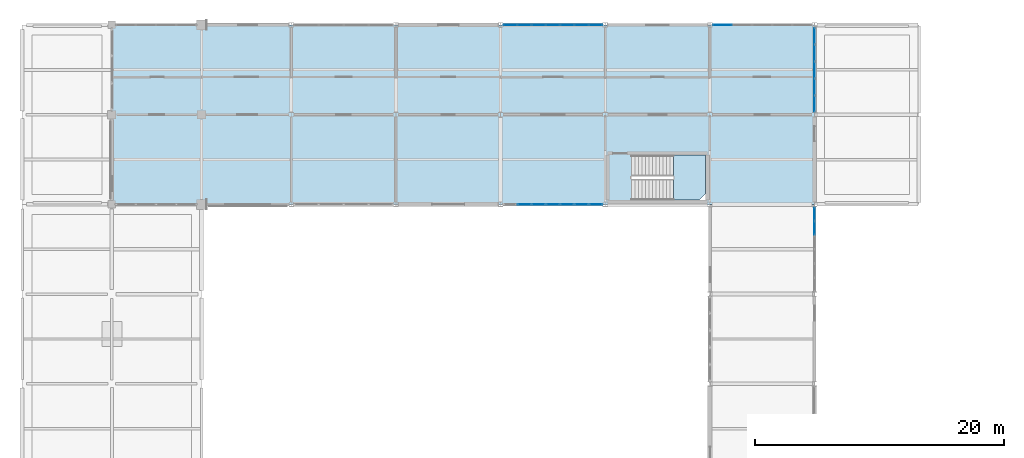
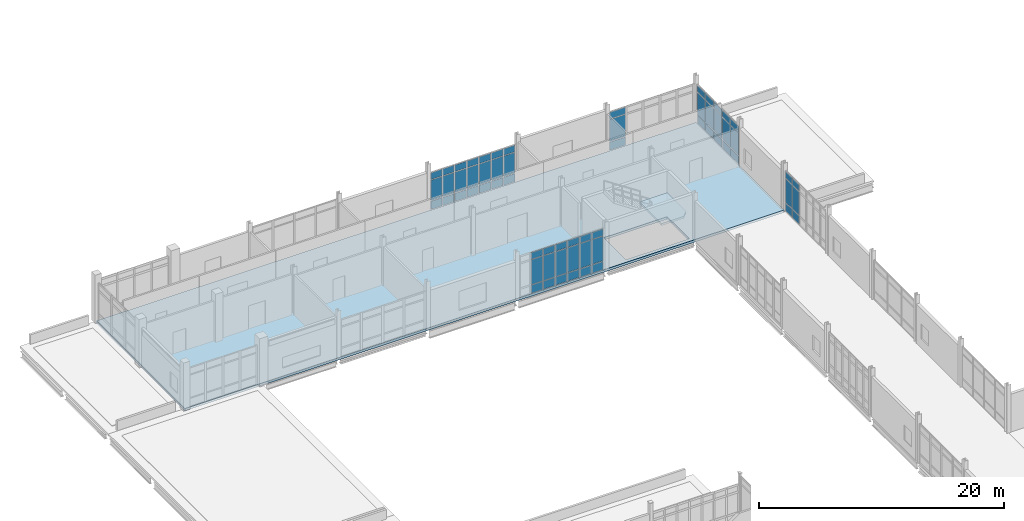
# One storey, part 129 of 186: 63 plates, 2 slabs, 6 elements without a shape of their own.
"""IFC4 building model written with IfcOpenShell, lengths in metres."""

from ifc_helpers import new_model, si_unit, direction, frame, origin, origin_2d, place, context, subcontext, project, spatial, polyline, rectangle, outline, extrude, material, layer, layer_set, type_object, element, aggregate, save


model = new_model("IFC4")

# Units and contexts
model_context = context("Model", 3, precision=1e-05, world=origin(), true_north=direction((0.0, 1.0)))
body_context = subcontext(model_context, "Body", "Model", "MODEL_VIEW")
ifc_project = project(units=[si_unit("LENGTHUNIT", "METRE"), si_unit("AREAUNIT", "SQUARE_METRE"), si_unit("VOLUMEUNIT", "CUBIC_METRE"), si_unit("PLANEANGLEUNIT", "RADIAN"), si_unit("MASSUNIT", "GRAM", prefix="KILO")], contexts=[model_context])

# Site, building, storey
site_placement = place(None, origin())
site = spatial("IfcSite", under=ifc_project, at=site_placement, CompositionType="ELEMENT")
building_placement = place(site_placement, origin())
building = spatial("IfcBuilding", under=site, at=building_placement, Name="Calvrana Isthmian Art Gallery", CompositionType="ELEMENT")
storey_placement = place(building_placement, frame((0.0, 0.0, 5.39990234375)))
storey = spatial("IfcBuildingStorey", under=building, at=storey_placement, Name="L01", CompositionType="ELEMENT", Elevation=5.39990234375)

# Curtain wall, plates
ifc_material_1 = material(Name="Anodized bronze aluminium 6063-T6", Category="aluminium")
ifc_layer_1 = layer(ifc_material_1, 0.179931640625, Name="Anodized bronze aluminium 6063-T6")
ifc_layer_set_1 = layer_set([ifc_layer_1], Name="Anodized bronze aluminium 6063-T6")
curtain_wall_type_1 = type_object("IfcCurtainWallType", Name="CW-UNIT-080X42", PredefinedType="USERDEFINED", material=ifc_layer_set_1)
curtain_wall_1_placement = place(storey_placement, origin())
curtain_wall_1 = element("IfcCurtainWall", 1, at=curtain_wall_1_placement, inside=storey, type_object=curtain_wall_type_1, Name="Curtain wall CW-112", ObjectType="UNITISED CURTAIN WALL", PredefinedType="USERDEFINED")
ifc_material_2 = material(Name="Low-E laminated solar glass", Category="glass")
ifc_layer_2 = layer(ifc_material_2, 0.028076171875, Name="Low-E laminated solar glass")
ifc_layer_set_2 = layer_set([ifc_layer_2], Name="Low-E laminated solar glass")
plate_type = type_object("IfcPlateType", Name="CWP-VISION-28", PredefinedType="CURTAIN_PANEL", material=ifc_layer_set_2)
plate_1_placement = place(storey_placement, frame((46.022216796875, 98.39990234375, 0.06494140625), z_axis=(0.0, 0.0, 1.0), x_axis=(-1.0, 0.0, 0.0)))
plate_1 = element("IfcPlate", 2, at=plate_1_placement, type_object=plate_type, Name="CW-112 panel 1.1", PredefinedType="CURTAIN_PANEL", context=body_context, shape_type="SweptSolid", body=[
    extrude(rectangle(XDim=1.034423828125, YDim=0.028076171875, at=origin_2d()), origin(), (0.0, 0.0, 1.0), 0.802490234375),
])
plate_2_placement = place(storey_placement, frame((46.022216796875, 98.39990234375, 0.9326171875), z_axis=(0.0, 0.0, 1.0), x_axis=(-1.0, 0.0, 0.0)))
plate_2 = element("IfcPlate", 3, at=plate_2_placement, type_object=plate_type, Name="CW-112 panel 1.2", PredefinedType="CURTAIN_PANEL", context=body_context, shape_type="SweptSolid", body=[
    extrude(rectangle(XDim=1.034423828125, YDim=0.028076171875, at=origin_2d()), origin(), (0.0, 0.0, 1.0), 2.448974609375),
])
plate_3_placement = place(storey_placement, frame((46.022216796875, 98.39990234375, 3.44677734375), z_axis=(0.0, 0.0, 1.0), x_axis=(-1.0, 0.0, 0.0)))
plate_3 = element("IfcPlate", 4, at=plate_3_placement, type_object=plate_type, Name="CW-112 panel 1.3", PredefinedType="CURTAIN_PANEL", context=body_context, shape_type="SweptSolid", body=[
    extrude(rectangle(XDim=1.034423828125, YDim=0.028076171875, at=origin_2d()), origin(), (0.0, 0.0, 1.0), 0.652587890625),
])
plate_4_placement = place(storey_placement, frame((44.894287109375, 98.39990234375, 0.06494140625), z_axis=(0.0, 0.0, 1.0), x_axis=(-1.0, 0.0, 0.0)))
plate_4 = element("IfcPlate", 5, at=plate_4_placement, type_object=plate_type, Name="CW-112 panel 2.1", PredefinedType="CURTAIN_PANEL", context=body_context, shape_type="SweptSolid", body=[
    extrude(rectangle(XDim=1.07177734375, YDim=0.028076171875, at=origin_2d()), origin(), (0.0, 0.0, 1.0), 0.802490234375),
])
plate_5_placement = place(storey_placement, frame((44.894287109375, 98.39990234375, 0.9326171875), z_axis=(0.0, 0.0, 1.0), x_axis=(-1.0, 0.0, 0.0)))
plate_5 = element("IfcPlate", 6, at=plate_5_placement, type_object=plate_type, Name="CW-112 panel 2.2", PredefinedType="CURTAIN_PANEL", context=body_context, shape_type="SweptSolid", body=[
    extrude(rectangle(XDim=1.07177734375, YDim=0.028076171875, at=origin_2d()), origin(), (0.0, 0.0, 1.0), 2.448974609375),
])
plate_6_placement = place(storey_placement, frame((44.894287109375, 98.39990234375, 3.44677734375), z_axis=(0.0, 0.0, 1.0), x_axis=(-1.0, 0.0, 0.0)))
plate_6 = element("IfcPlate", 7, at=plate_6_placement, type_object=plate_type, Name="CW-112 panel 2.3", PredefinedType="CURTAIN_PANEL", context=body_context, shape_type="SweptSolid", body=[
    extrude(rectangle(XDim=1.07177734375, YDim=0.028076171875, at=origin_2d()), origin(), (0.0, 0.0, 1.0), 0.652587890625),
])
plate_7_placement = place(storey_placement, frame((43.747314453125, 98.39990234375, 0.06494140625), z_axis=(0.0, 0.0, 1.0), x_axis=(-1.0, 0.0, 0.0)))
plate_7 = element("IfcPlate", 8, at=plate_7_placement, type_object=plate_type, Name="CW-112 panel 3.1", PredefinedType="CURTAIN_PANEL", context=body_context, shape_type="SweptSolid", body=[
    extrude(rectangle(XDim=1.07177734375, YDim=0.028076171875, at=origin_2d()), origin(), (0.0, 0.0, 1.0), 0.802490234375),
])
plate_8_placement = place(storey_placement, frame((43.747314453125, 98.39990234375, 0.9326171875), z_axis=(0.0, 0.0, 1.0), x_axis=(-1.0, 0.0, 0.0)))
plate_8 = element("IfcPlate", 9, at=plate_8_placement, type_object=plate_type, Name="CW-112 panel 3.2", PredefinedType="CURTAIN_PANEL", context=body_context, shape_type="SweptSolid", body=[
    extrude(rectangle(XDim=1.07177734375, YDim=0.028076171875, at=origin_2d()), origin(), (0.0, 0.0, 1.0), 2.448974609375),
])
plate_9_placement = place(storey_placement, frame((43.747314453125, 98.39990234375, 3.44677734375), z_axis=(0.0, 0.0, 1.0), x_axis=(-1.0, 0.0, 0.0)))
plate_9 = element("IfcPlate", 10, at=plate_9_placement, type_object=plate_type, Name="CW-112 panel 3.3", PredefinedType="CURTAIN_PANEL", context=body_context, shape_type="SweptSolid", body=[
    extrude(rectangle(XDim=1.07177734375, YDim=0.028076171875, at=origin_2d()), origin(), (0.0, 0.0, 1.0), 0.652587890625),
])
plate_10_placement = place(storey_placement, frame((42.6005859375, 98.39990234375, 0.06494140625), z_axis=(0.0, 0.0, 1.0), x_axis=(-1.0, 0.0, 0.0)))
plate_10 = element("IfcPlate", 11, at=plate_10_placement, type_object=plate_type, Name="CW-112 panel 4.1", PredefinedType="CURTAIN_PANEL", context=body_context, shape_type="SweptSolid", body=[
    extrude(rectangle(XDim=1.07177734375, YDim=0.028076171875, at=origin_2d()), origin(), (0.0, 0.0, 1.0), 0.802490234375),
])
plate_11_placement = place(storey_placement, frame((42.6005859375, 98.39990234375, 0.9326171875), z_axis=(0.0, 0.0, 1.0), x_axis=(-1.0, 0.0, 0.0)))
plate_11 = element("IfcPlate", 12, at=plate_11_placement, type_object=plate_type, Name="CW-112 panel 4.2", PredefinedType="CURTAIN_PANEL", context=body_context, shape_type="SweptSolid", body=[
    extrude(rectangle(XDim=1.07177734375, YDim=0.028076171875, at=origin_2d()), origin(), (0.0, 0.0, 1.0), 2.448974609375),
])
plate_12_placement = place(storey_placement, frame((42.6005859375, 98.39990234375, 3.44677734375), z_axis=(0.0, 0.0, 1.0), x_axis=(-1.0, 0.0, 0.0)))
plate_12 = element("IfcPlate", 13, at=plate_12_placement, type_object=plate_type, Name="CW-112 panel 4.3", PredefinedType="CURTAIN_PANEL", context=body_context, shape_type="SweptSolid", body=[
    extrude(rectangle(XDim=1.07177734375, YDim=0.028076171875, at=origin_2d()), origin(), (0.0, 0.0, 1.0), 0.652587890625),
])
plate_13_placement = place(storey_placement, frame((41.45361328125, 98.39990234375, 0.06494140625), z_axis=(0.0, 0.0, 1.0), x_axis=(-1.0, 0.0, 0.0)))
plate_13 = element("IfcPlate", 14, at=plate_13_placement, type_object=plate_type, Name="CW-112 panel 5.1", PredefinedType="CURTAIN_PANEL", context=body_context, shape_type="SweptSolid", body=[
    extrude(rectangle(XDim=1.07177734375, YDim=0.028076171875, at=origin_2d()), origin(), (0.0, 0.0, 1.0), 0.802490234375),
])
plate_14_placement = place(storey_placement, frame((41.45361328125, 98.39990234375, 0.9326171875), z_axis=(0.0, 0.0, 1.0), x_axis=(-1.0, 0.0, 0.0)))
plate_14 = element("IfcPlate", 15, at=plate_14_placement, type_object=plate_type, Name="CW-112 panel 5.2", PredefinedType="CURTAIN_PANEL", context=body_context, shape_type="SweptSolid", body=[
    extrude(rectangle(XDim=1.07177734375, YDim=0.028076171875, at=origin_2d()), origin(), (0.0, 0.0, 1.0), 2.448974609375),
])
plate_15_placement = place(storey_placement, frame((41.45361328125, 98.39990234375, 3.44677734375), z_axis=(0.0, 0.0, 1.0), x_axis=(-1.0, 0.0, 0.0)))
plate_15 = element("IfcPlate", 16, at=plate_15_placement, type_object=plate_type, Name="CW-112 panel 5.3", PredefinedType="CURTAIN_PANEL", context=body_context, shape_type="SweptSolid", body=[
    extrude(rectangle(XDim=1.07177734375, YDim=0.028076171875, at=origin_2d()), origin(), (0.0, 0.0, 1.0), 0.652587890625),
])
plate_16_placement = place(storey_placement, frame((40.306884765625, 98.39990234375, 0.06494140625), z_axis=(0.0, 0.0, 1.0), x_axis=(-1.0, 0.0, 0.0)))
plate_16 = element("IfcPlate", 17, at=plate_16_placement, type_object=plate_type, Name="CW-112 panel 6.1", PredefinedType="CURTAIN_PANEL", context=body_context, shape_type="SweptSolid", body=[
    extrude(rectangle(XDim=1.07177734375, YDim=0.028076171875, at=origin_2d()), origin(), (0.0, 0.0, 1.0), 0.802490234375),
])
plate_17_placement = place(storey_placement, frame((40.306884765625, 98.39990234375, 0.9326171875), z_axis=(0.0, 0.0, 1.0), x_axis=(-1.0, 0.0, 0.0)))
plate_17 = element("IfcPlate", 18, at=plate_17_placement, type_object=plate_type, Name="CW-112 panel 6.2", PredefinedType="CURTAIN_PANEL", context=body_context, shape_type="SweptSolid", body=[
    extrude(rectangle(XDim=1.07177734375, YDim=0.028076171875, at=origin_2d()), origin(), (0.0, 0.0, 1.0), 2.448974609375),
])
plate_18_placement = place(storey_placement, frame((40.306884765625, 98.39990234375, 3.44677734375), z_axis=(0.0, 0.0, 1.0), x_axis=(-1.0, 0.0, 0.0)))
plate_18 = element("IfcPlate", 19, at=plate_18_placement, type_object=plate_type, Name="CW-112 panel 6.3", PredefinedType="CURTAIN_PANEL", context=body_context, shape_type="SweptSolid", body=[
    extrude(rectangle(XDim=1.07177734375, YDim=0.028076171875, at=origin_2d()), origin(), (0.0, 0.0, 1.0), 0.652587890625),
])
aggregate(curtain_wall_1, [plate_1, plate_2, plate_3, plate_4, plate_5, plate_6, plate_7, plate_8, plate_9, plate_10, plate_11, plate_12, plate_13, plate_14, plate_15, plate_16, plate_17, plate_18])

ifc_layer_3 = layer(ifc_material_1, 0.179931640625, Name="Anodized bronze aluminium 6063-T6")
ifc_layer_set_3 = layer_set([ifc_layer_3], Name="Anodized bronze aluminium 6063-T6")
curtain_wall_type_2 = type_object("IfcCurtainWallType", Name="CW-UNIT-080X38", PredefinedType="USERDEFINED", material=ifc_layer_set_3)
curtain_wall_2_placement = place(storey_placement, origin())
curtain_wall_2 = element("IfcCurtainWall", 20, at=curtain_wall_2_placement, inside=storey, type_object=curtain_wall_type_2, Name="Curtain wall CW-116", ObjectType="UNITISED CURTAIN WALL", PredefinedType="USERDEFINED")
plate_19_placement = place(storey_placement, frame((39.173828125, 112.800048828125, 0.06005859375), z_axis=(0.0, 0.0, 1.0), x_axis=(1.0, 0.0, 0.0)))
plate_19 = element("IfcPlate", 21, at=plate_19_placement, type_object=plate_type, Name="CW-116 panel 1.1", PredefinedType="CURTAIN_PANEL", context=body_context, shape_type="SweptSolid", body=[
    extrude(rectangle(XDim=1.049560546875, YDim=0.028076171875, at=origin_2d()), origin(), (0.0, 0.0, 1.0), 0.81005859375),
])
plate_20_placement = place(storey_placement, frame((39.173828125, 112.800048828125, 0.93017578125), z_axis=(0.0, 0.0, 1.0), x_axis=(1.0, 0.0, 0.0)))
plate_20 = element("IfcPlate", 22, at=plate_20_placement, type_object=plate_type, Name="CW-116 panel 1.2", PredefinedType="CURTAIN_PANEL", context=body_context, shape_type="SweptSolid", body=[
    extrude(rectangle(XDim=1.049560546875, YDim=0.028076171875, at=origin_2d()), origin(), (0.0, 0.0, 1.0), 2.048095703125),
])
plate_21_placement = place(storey_placement, frame((39.173828125, 112.800048828125, 3.0380859375), z_axis=(0.0, 0.0, 1.0), x_axis=(1.0, 0.0, 0.0)))
plate_21 = element("IfcPlate", 23, at=plate_21_placement, type_object=plate_type, Name="CW-116 panel 1.3", PredefinedType="CURTAIN_PANEL", context=body_context, shape_type="SweptSolid", body=[
    extrude(rectangle(XDim=1.049560546875, YDim=0.028076171875, at=origin_2d()), origin(), (0.0, 0.0, 1.0), 0.659912109375),
])
plate_22_placement = place(storey_placement, frame((40.3046875, 112.800048828125, 0.06005859375), z_axis=(0.0, 0.0, 1.0), x_axis=(1.0, 0.0, 0.0)))
plate_22 = element("IfcPlate", 24, at=plate_22_placement, type_object=plate_type, Name="CW-116 panel 2.1", PredefinedType="CURTAIN_PANEL", context=body_context, shape_type="SweptSolid", body=[
    extrude(rectangle(XDim=1.08203125, YDim=0.028076171875, at=origin_2d()), origin(), (0.0, 0.0, 1.0), 0.81005859375),
])
plate_23_placement = place(storey_placement, frame((40.3046875, 112.800048828125, 0.93017578125), z_axis=(0.0, 0.0, 1.0), x_axis=(1.0, 0.0, 0.0)))
plate_23 = element("IfcPlate", 25, at=plate_23_placement, type_object=plate_type, Name="CW-116 panel 2.2", PredefinedType="CURTAIN_PANEL", context=body_context, shape_type="SweptSolid", body=[
    extrude(rectangle(XDim=1.08203125, YDim=0.028076171875, at=origin_2d()), origin(), (0.0, 0.0, 1.0), 2.048095703125),
])
plate_24_placement = place(storey_placement, frame((40.3046875, 112.800048828125, 3.0380859375), z_axis=(0.0, 0.0, 1.0), x_axis=(1.0, 0.0, 0.0)))
plate_24 = element("IfcPlate", 26, at=plate_24_placement, type_object=plate_type, Name="CW-116 panel 2.3", PredefinedType="CURTAIN_PANEL", context=body_context, shape_type="SweptSolid", body=[
    extrude(rectangle(XDim=1.08203125, YDim=0.028076171875, at=origin_2d()), origin(), (0.0, 0.0, 1.0), 0.659912109375),
])
plate_25_placement = place(storey_placement, frame((41.45166015625, 112.800048828125, 0.06005859375), z_axis=(0.0, 0.0, 1.0), x_axis=(1.0, 0.0, 0.0)))
plate_25 = element("IfcPlate", 27, at=plate_25_placement, type_object=plate_type, Name="CW-116 panel 3.1", PredefinedType="CURTAIN_PANEL", context=body_context, shape_type="SweptSolid", body=[
    extrude(rectangle(XDim=1.08203125, YDim=0.028076171875, at=origin_2d()), origin(), (0.0, 0.0, 1.0), 0.81005859375),
])
plate_26_placement = place(storey_placement, frame((41.45166015625, 112.800048828125, 0.93017578125), z_axis=(0.0, 0.0, 1.0), x_axis=(1.0, 0.0, 0.0)))
plate_26 = element("IfcPlate", 28, at=plate_26_placement, type_object=plate_type, Name="CW-116 panel 3.2", PredefinedType="CURTAIN_PANEL", context=body_context, shape_type="SweptSolid", body=[
    extrude(rectangle(XDim=1.08203125, YDim=0.028076171875, at=origin_2d()), origin(), (0.0, 0.0, 1.0), 2.048095703125),
])
plate_27_placement = place(storey_placement, frame((41.45166015625, 112.800048828125, 3.0380859375), z_axis=(0.0, 0.0, 1.0), x_axis=(1.0, 0.0, 0.0)))
plate_27 = element("IfcPlate", 29, at=plate_27_placement, type_object=plate_type, Name="CW-116 panel 3.3", PredefinedType="CURTAIN_PANEL", context=body_context, shape_type="SweptSolid", body=[
    extrude(rectangle(XDim=1.08203125, YDim=0.028076171875, at=origin_2d()), origin(), (0.0, 0.0, 1.0), 0.659912109375),
])
plate_28_placement = place(storey_placement, frame((42.5986328125, 112.800048828125, 0.06005859375), z_axis=(0.0, 0.0, 1.0), x_axis=(1.0, 0.0, 0.0)))
plate_28 = element("IfcPlate", 30, at=plate_28_placement, type_object=plate_type, Name="CW-116 panel 4.1", PredefinedType="CURTAIN_PANEL", context=body_context, shape_type="SweptSolid", body=[
    extrude(rectangle(XDim=1.08203125, YDim=0.028076171875, at=origin_2d()), origin(), (0.0, 0.0, 1.0), 0.81005859375),
])
plate_29_placement = place(storey_placement, frame((42.5986328125, 112.800048828125, 0.93017578125), z_axis=(0.0, 0.0, 1.0), x_axis=(1.0, 0.0, 0.0)))
plate_29 = element("IfcPlate", 31, at=plate_29_placement, type_object=plate_type, Name="CW-116 panel 4.2", PredefinedType="CURTAIN_PANEL", context=body_context, shape_type="SweptSolid", body=[
    extrude(rectangle(XDim=1.08203125, YDim=0.028076171875, at=origin_2d()), origin(), (0.0, 0.0, 1.0), 2.048095703125),
])
plate_30_placement = place(storey_placement, frame((42.5986328125, 112.800048828125, 3.0380859375), z_axis=(0.0, 0.0, 1.0), x_axis=(1.0, 0.0, 0.0)))
plate_30 = element("IfcPlate", 32, at=plate_30_placement, type_object=plate_type, Name="CW-116 panel 4.3", PredefinedType="CURTAIN_PANEL", context=body_context, shape_type="SweptSolid", body=[
    extrude(rectangle(XDim=1.08203125, YDim=0.028076171875, at=origin_2d()), origin(), (0.0, 0.0, 1.0), 0.659912109375),
])
plate_31_placement = place(storey_placement, frame((43.745849609375, 112.800048828125, 0.06005859375), z_axis=(0.0, 0.0, 1.0), x_axis=(1.0, 0.0, 0.0)))
plate_31 = element("IfcPlate", 33, at=plate_31_placement, type_object=plate_type, Name="CW-116 panel 5.1", PredefinedType="CURTAIN_PANEL", context=body_context, shape_type="SweptSolid", body=[
    extrude(rectangle(XDim=1.08203125, YDim=0.028076171875, at=origin_2d()), origin(), (0.0, 0.0, 1.0), 0.81005859375),
])
plate_32_placement = place(storey_placement, frame((43.745849609375, 112.800048828125, 0.93017578125), z_axis=(0.0, 0.0, 1.0), x_axis=(1.0, 0.0, 0.0)))
plate_32 = element("IfcPlate", 34, at=plate_32_placement, type_object=plate_type, Name="CW-116 panel 5.2", PredefinedType="CURTAIN_PANEL", context=body_context, shape_type="SweptSolid", body=[
    extrude(rectangle(XDim=1.08203125, YDim=0.028076171875, at=origin_2d()), origin(), (0.0, 0.0, 1.0), 2.048095703125),
])
plate_33_placement = place(storey_placement, frame((43.745849609375, 112.800048828125, 3.0380859375), z_axis=(0.0, 0.0, 1.0), x_axis=(1.0, 0.0, 0.0)))
plate_33 = element("IfcPlate", 35, at=plate_33_placement, type_object=plate_type, Name="CW-116 panel 5.3", PredefinedType="CURTAIN_PANEL", context=body_context, shape_type="SweptSolid", body=[
    extrude(rectangle(XDim=1.08203125, YDim=0.028076171875, at=origin_2d()), origin(), (0.0, 0.0, 1.0), 0.659912109375),
])
plate_34_placement = place(storey_placement, frame((44.892822265625, 112.800048828125, 0.06005859375), z_axis=(0.0, 0.0, 1.0), x_axis=(1.0, 0.0, 0.0)))
plate_34 = element("IfcPlate", 36, at=plate_34_placement, type_object=plate_type, Name="CW-116 panel 6.1", PredefinedType="CURTAIN_PANEL", context=body_context, shape_type="SweptSolid", body=[
    extrude(rectangle(XDim=1.08203125, YDim=0.028076171875, at=origin_2d()), origin(), (0.0, 0.0, 1.0), 0.81005859375),
])
plate_35_placement = place(storey_placement, frame((44.892822265625, 112.800048828125, 0.93017578125), z_axis=(0.0, 0.0, 1.0), x_axis=(1.0, 0.0, 0.0)))
plate_35 = element("IfcPlate", 37, at=plate_35_placement, type_object=plate_type, Name="CW-116 panel 6.2", PredefinedType="CURTAIN_PANEL", context=body_context, shape_type="SweptSolid", body=[
    extrude(rectangle(XDim=1.08203125, YDim=0.028076171875, at=origin_2d()), origin(), (0.0, 0.0, 1.0), 2.048095703125),
])
plate_36_placement = place(storey_placement, frame((44.892822265625, 112.800048828125, 3.0380859375), z_axis=(0.0, 0.0, 1.0), x_axis=(1.0, 0.0, 0.0)))
plate_36 = element("IfcPlate", 38, at=plate_36_placement, type_object=plate_type, Name="CW-116 panel 6.3", PredefinedType="CURTAIN_PANEL", context=body_context, shape_type="SweptSolid", body=[
    extrude(rectangle(XDim=1.08203125, YDim=0.028076171875, at=origin_2d()), origin(), (0.0, 0.0, 1.0), 0.659912109375),
])
plate_37_placement = place(storey_placement, frame((46.023681640625, 112.800048828125, 0.06005859375), z_axis=(0.0, 0.0, 1.0), x_axis=(1.0, 0.0, 0.0)))
plate_37 = element("IfcPlate", 39, at=plate_37_placement, type_object=plate_type, Name="CW-116 panel 7.1", PredefinedType="CURTAIN_PANEL", context=body_context, shape_type="SweptSolid", body=[
    extrude(rectangle(XDim=1.049560546875, YDim=0.028076171875, at=origin_2d()), origin(), (0.0, 0.0, 1.0), 0.81005859375),
])
plate_38_placement = place(storey_placement, frame((46.023681640625, 112.800048828125, 0.93017578125), z_axis=(0.0, 0.0, 1.0), x_axis=(1.0, 0.0, 0.0)))
plate_38 = element("IfcPlate", 40, at=plate_38_placement, type_object=plate_type, Name="CW-116 panel 7.2", PredefinedType="CURTAIN_PANEL", context=body_context, shape_type="SweptSolid", body=[
    extrude(rectangle(XDim=1.049560546875, YDim=0.028076171875, at=origin_2d()), origin(), (0.0, 0.0, 1.0), 2.048095703125),
])
plate_39_placement = place(storey_placement, frame((46.023681640625, 112.800048828125, 3.0380859375), z_axis=(0.0, 0.0, 1.0), x_axis=(1.0, 0.0, 0.0)))
plate_39 = element("IfcPlate", 41, at=plate_39_placement, type_object=plate_type, Name="CW-116 panel 7.3", PredefinedType="CURTAIN_PANEL", context=body_context, shape_type="SweptSolid", body=[
    extrude(rectangle(XDim=1.049560546875, YDim=0.028076171875, at=origin_2d()), origin(), (0.0, 0.0, 1.0), 0.659912109375),
])
aggregate(curtain_wall_2, [plate_19, plate_20, plate_21, plate_22, plate_23, plate_24, plate_25, plate_26, plate_27, plate_28, plate_29, plate_30, plate_31, plate_32, plate_33, plate_34, plate_35, plate_36, plate_37, plate_38, plate_39])

ifc_layer_4 = layer(ifc_material_1, 0.179931640625, Name="Anodized bronze aluminium 6063-T6")
ifc_layer_set_4 = layer_set([ifc_layer_4], Name="Anodized bronze aluminium 6063-T6")
curtain_wall_type_3 = type_object("IfcCurtainWallType", Name="CW-STICK-080X39", PredefinedType="NOTDEFINED", material=ifc_layer_set_4)
curtain_wall_3_placement = place(storey_placement, origin())
curtain_wall_3 = element("IfcCurtainWall", 42, at=curtain_wall_3_placement, inside=storey, type_object=curtain_wall_type_3, Name="Curtain wall CW-117", PredefinedType="NOTDEFINED")
plate_40_placement = place(storey_placement, frame((56.206787109375, 112.800048828125, 0.06494140625), z_axis=(0.0, 0.0, 1.0), x_axis=(1.0, 0.0, 0.0)))
plate_40 = element("IfcPlate", 43, at=plate_40_placement, type_object=plate_type, Name="CW-117 panel 1.1", PredefinedType="CURTAIN_PANEL", context=body_context, shape_type="SweptSolid", body=[
    extrude(rectangle(XDim=1.50048828125, YDim=0.028076171875, at=origin_2d()), origin(), (0.0, 0.0, 1.0), 0.802490234375),
])
plate_41_placement = place(storey_placement, frame((56.206787109375, 112.800048828125, 0.9326171875), z_axis=(0.0, 0.0, 1.0), x_axis=(1.0, 0.0, 0.0)))
plate_41 = element("IfcPlate", 44, at=plate_41_placement, type_object=plate_type, Name="CW-117 panel 1.2", PredefinedType="CURTAIN_PANEL", context=body_context, shape_type="SweptSolid", body=[
    extrude(rectangle(XDim=1.50048828125, YDim=0.028076171875, at=origin_2d()), origin(), (0.0, 0.0, 1.0), 2.18310546875),
])
plate_42_placement = place(storey_placement, frame((56.206787109375, 112.800048828125, 3.1806640625), z_axis=(0.0, 0.0, 1.0), x_axis=(1.0, 0.0, 0.0)))
plate_42 = element("IfcPlate", 45, at=plate_42_placement, type_object=plate_type, Name="CW-117 panel 1.3", PredefinedType="CURTAIN_PANEL", context=body_context, shape_type="SweptSolid", body=[
    extrude(rectangle(XDim=1.50048828125, YDim=0.028076171875, at=origin_2d()), origin(), (0.0, 0.0, 1.0), 0.652587890625),
])
aggregate(curtain_wall_3, [plate_40, plate_41, plate_42])

ifc_layer_5 = layer(ifc_material_1, 0.179931640625, Name="Anodized bronze aluminium 6063-T6")
ifc_layer_set_5 = layer_set([ifc_layer_5], Name="Anodized bronze aluminium 6063-T6")
curtain_wall_type_4 = type_object("IfcCurtainWallType", Name="CW-STICK-068X41", PredefinedType="NOTDEFINED", material=ifc_layer_set_5)
curtain_wall_4_placement = place(storey_placement, origin())
curtain_wall_4 = element("IfcCurtainWall", 46, at=curtain_wall_4_placement, inside=storey, type_object=curtain_wall_type_4, Name="Curtain wall CW-128", PredefinedType="NOTDEFINED")
plate_43_placement = place(storey_placement, frame((63.60009765625, 97.628173828125, 0.070068359375), z_axis=(0.0, 0.0, 1.0), x_axis=(0.0, -1.0, 0.0)))
plate_43 = element("IfcPlate", 47, at=plate_43_placement, type_object=plate_type, Name="CW-128 panel 1.1", PredefinedType="CURTAIN_PANEL", context=body_context, shape_type="SweptSolid", body=[
    extrude(rectangle(XDim=1.040771484375, YDim=0.028076171875, at=origin_2d()), origin(), (0.0, 0.0, 1.0), 0.794921875),
])
plate_44_placement = place(storey_placement, frame((63.60009765625, 97.628173828125, 0.93505859375), z_axis=(0.0, 0.0, 1.0), x_axis=(0.0, -1.0, 0.0)))
plate_44 = element("IfcPlate", 48, at=plate_44_placement, type_object=plate_type, Name="CW-128 panel 1.2", PredefinedType="CURTAIN_PANEL", context=body_context, shape_type="SweptSolid", body=[
    extrude(rectangle(XDim=1.040771484375, YDim=0.028076171875, at=origin_2d()), origin(), (0.0, 0.0, 1.0), 2.337890625),
])
plate_45_placement = place(storey_placement, frame((63.60009765625, 97.628173828125, 3.343017578125), z_axis=(0.0, 0.0, 1.0), x_axis=(0.0, -1.0, 0.0)))
plate_45 = element("IfcPlate", 49, at=plate_45_placement, type_object=plate_type, Name="CW-128 panel 1.3", PredefinedType="CURTAIN_PANEL", context=body_context, shape_type="SweptSolid", body=[
    extrude(rectangle(XDim=1.040771484375, YDim=0.028076171875, at=origin_2d()), origin(), (0.0, 0.0, 1.0), 0.64501953125),
])
plate_46_placement = place(storey_placement, frame((63.60009765625, 96.506103515625, 0.070068359375), z_axis=(0.0, 0.0, 1.0), x_axis=(0.0, -1.0, 0.0)))
plate_46 = element("IfcPlate", 50, at=plate_46_placement, type_object=plate_type, Name="CW-128 panel 2.1", PredefinedType="CURTAIN_PANEL", context=body_context, shape_type="SweptSolid", body=[
    extrude(rectangle(XDim=1.0732421875, YDim=0.028076171875, at=origin_2d()), origin(), (0.0, 0.0, 1.0), 0.794921875),
])
plate_47_placement = place(storey_placement, frame((63.60009765625, 96.506103515625, 0.93505859375), z_axis=(0.0, 0.0, 1.0), x_axis=(0.0, -1.0, 0.0)))
plate_47 = element("IfcPlate", 51, at=plate_47_placement, type_object=plate_type, Name="CW-128 panel 2.2", PredefinedType="CURTAIN_PANEL", context=body_context, shape_type="SweptSolid", body=[
    extrude(rectangle(XDim=1.0732421875, YDim=0.028076171875, at=origin_2d()), origin(), (0.0, 0.0, 1.0), 2.337890625),
])
plate_48_placement = place(storey_placement, frame((63.60009765625, 96.506103515625, 3.343017578125), z_axis=(0.0, 0.0, 1.0), x_axis=(0.0, -1.0, 0.0)))
plate_48 = element("IfcPlate", 52, at=plate_48_placement, type_object=plate_type, Name="CW-128 panel 2.3", PredefinedType="CURTAIN_PANEL", context=body_context, shape_type="SweptSolid", body=[
    extrude(rectangle(XDim=1.0732421875, YDim=0.028076171875, at=origin_2d()), origin(), (0.0, 0.0, 1.0), 0.64501953125),
])
aggregate(curtain_wall_4, [plate_43, plate_44, plate_45, plate_46, plate_47, plate_48])

ifc_layer_6 = layer(ifc_material_1, 0.179931640625, Name="Anodized bronze aluminium 6063-T6")
ifc_layer_set_6 = layer_set([ifc_layer_6], Name="Anodized bronze aluminium 6063-T6")
curtain_wall_type_5 = type_object("IfcCurtainWallType", Name="CW-STICK-068X39", PredefinedType="NOTDEFINED", material=ifc_layer_set_6)
curtain_wall_5_placement = place(storey_placement, origin())
curtain_wall_5 = element("IfcCurtainWall", 53, at=curtain_wall_5_placement, inside=storey, type_object=curtain_wall_type_5, Name="Curtain wall CW-129", PredefinedType="NOTDEFINED")
plate_49_placement = place(storey_placement, frame((63.60009765625, 111.9169921875, 0.074951171875), z_axis=(0.0, 0.0, 1.0), x_axis=(0.0, -1.0, 0.0)))
plate_49 = element("IfcPlate", 54, at=plate_49_placement, type_object=plate_type, Name="CW-129 panel 1.1", PredefinedType="CURTAIN_PANEL", context=body_context, shape_type="SweptSolid", body=[
    extrude(rectangle(XDim=1.26318359375, YDim=0.028076171875, at=origin_2d()), origin(), (0.0, 0.0, 1.0), 0.78759765625),
])
plate_50_placement = place(storey_placement, frame((63.60009765625, 111.9169921875, 0.9375), z_axis=(0.0, 0.0, 1.0), x_axis=(0.0, -1.0, 0.0)))
plate_50 = element("IfcPlate", 55, at=plate_50_placement, type_object=plate_type, Name="CW-129 panel 1.2", PredefinedType="CURTAIN_PANEL", context=body_context, shape_type="SweptSolid", body=[
    extrude(rectangle(XDim=1.26318359375, YDim=0.028076171875, at=origin_2d()), origin(), (0.0, 0.0, 1.0), 2.18798828125),
])
plate_51_placement = place(storey_placement, frame((63.60009765625, 111.9169921875, 3.20068359375), z_axis=(0.0, 0.0, 1.0), x_axis=(0.0, -1.0, 0.0)))
plate_51 = element("IfcPlate", 56, at=plate_51_placement, type_object=plate_type, Name="CW-129 panel 1.3", PredefinedType="CURTAIN_PANEL", context=body_context, shape_type="SweptSolid", body=[
    extrude(rectangle(XDim=1.26318359375, YDim=0.028076171875, at=origin_2d()), origin(), (0.0, 0.0, 1.0), 0.637451171875),
])
plate_52_placement = place(storey_placement, frame((63.60009765625, 110.56640625, 0.074951171875), z_axis=(0.0, 0.0, 1.0), x_axis=(0.0, -1.0, 0.0)))
plate_52 = element("IfcPlate", 57, at=plate_52_placement, type_object=plate_type, Name="CW-129 panel 2.1", PredefinedType="CURTAIN_PANEL", context=body_context, shape_type="SweptSolid", body=[
    extrude(rectangle(XDim=1.298095703125, YDim=0.028076171875, at=origin_2d()), origin(), (0.0, 0.0, 1.0), 0.78759765625),
])
plate_53_placement = place(storey_placement, frame((63.60009765625, 110.56640625, 0.9375), z_axis=(0.0, 0.0, 1.0), x_axis=(0.0, -1.0, 0.0)))
plate_53 = element("IfcPlate", 58, at=plate_53_placement, type_object=plate_type, Name="CW-129 panel 2.2", PredefinedType="CURTAIN_PANEL", context=body_context, shape_type="SweptSolid", body=[
    extrude(rectangle(XDim=1.298095703125, YDim=0.028076171875, at=origin_2d()), origin(), (0.0, 0.0, 1.0), 2.18798828125),
])
plate_54_placement = place(storey_placement, frame((63.60009765625, 110.56640625, 3.20068359375), z_axis=(0.0, 0.0, 1.0), x_axis=(0.0, -1.0, 0.0)))
plate_54 = element("IfcPlate", 59, at=plate_54_placement, type_object=plate_type, Name="CW-129 panel 2.3", PredefinedType="CURTAIN_PANEL", context=body_context, shape_type="SweptSolid", body=[
    extrude(rectangle(XDim=1.298095703125, YDim=0.028076171875, at=origin_2d()), origin(), (0.0, 0.0, 1.0), 0.637451171875),
])
plate_55_placement = place(storey_placement, frame((63.60009765625, 109.1982421875, 0.074951171875), z_axis=(0.0, 0.0, 1.0), x_axis=(0.0, -1.0, 0.0)))
plate_55 = element("IfcPlate", 60, at=plate_55_placement, type_object=plate_type, Name="CW-129 panel 3.1", PredefinedType="CURTAIN_PANEL", context=body_context, shape_type="SweptSolid", body=[
    extrude(rectangle(XDim=1.298095703125, YDim=0.028076171875, at=origin_2d()), origin(), (0.0, 0.0, 1.0), 0.78759765625),
])
plate_56_placement = place(storey_placement, frame((63.60009765625, 109.1982421875, 0.9375), z_axis=(0.0, 0.0, 1.0), x_axis=(0.0, -1.0, 0.0)))
plate_56 = element("IfcPlate", 61, at=plate_56_placement, type_object=plate_type, Name="CW-129 panel 3.2", PredefinedType="CURTAIN_PANEL", context=body_context, shape_type="SweptSolid", body=[
    extrude(rectangle(XDim=1.298095703125, YDim=0.028076171875, at=origin_2d()), origin(), (0.0, 0.0, 1.0), 2.18798828125),
])
plate_57_placement = place(storey_placement, frame((63.60009765625, 109.1982421875, 3.20068359375), z_axis=(0.0, 0.0, 1.0), x_axis=(0.0, -1.0, 0.0)))
plate_57 = element("IfcPlate", 62, at=plate_57_placement, type_object=plate_type, Name="CW-129 panel 3.3", PredefinedType="CURTAIN_PANEL", context=body_context, shape_type="SweptSolid", body=[
    extrude(rectangle(XDim=1.298095703125, YDim=0.028076171875, at=origin_2d()), origin(), (0.0, 0.0, 1.0), 0.637451171875),
])
plate_58_placement = place(storey_placement, frame((63.60009765625, 107.830078125, 0.074951171875), z_axis=(0.0, 0.0, 1.0), x_axis=(0.0, -1.0, 0.0)))
plate_58 = element("IfcPlate", 63, at=plate_58_placement, type_object=plate_type, Name="CW-129 panel 4.1", PredefinedType="CURTAIN_PANEL", context=body_context, shape_type="SweptSolid", body=[
    extrude(rectangle(XDim=1.298095703125, YDim=0.028076171875, at=origin_2d()), origin(), (0.0, 0.0, 1.0), 0.78759765625),
])
plate_59_placement = place(storey_placement, frame((63.60009765625, 107.830078125, 0.9375), z_axis=(0.0, 0.0, 1.0), x_axis=(0.0, -1.0, 0.0)))
plate_59 = element("IfcPlate", 64, at=plate_59_placement, type_object=plate_type, Name="CW-129 panel 4.2", PredefinedType="CURTAIN_PANEL", context=body_context, shape_type="SweptSolid", body=[
    extrude(rectangle(XDim=1.298095703125, YDim=0.028076171875, at=origin_2d()), origin(), (0.0, 0.0, 1.0), 2.18798828125),
])
plate_60_placement = place(storey_placement, frame((63.60009765625, 107.830078125, 3.20068359375), z_axis=(0.0, 0.0, 1.0), x_axis=(0.0, -1.0, 0.0)))
plate_60 = element("IfcPlate", 65, at=plate_60_placement, type_object=plate_type, Name="CW-129 panel 4.3", PredefinedType="CURTAIN_PANEL", context=body_context, shape_type="SweptSolid", body=[
    extrude(rectangle(XDim=1.298095703125, YDim=0.028076171875, at=origin_2d()), origin(), (0.0, 0.0, 1.0), 0.637451171875),
])
plate_61_placement = place(storey_placement, frame((63.60009765625, 106.4794921875, 0.074951171875), z_axis=(0.0, 0.0, 1.0), x_axis=(0.0, -1.0, 0.0)))
plate_61 = element("IfcPlate", 66, at=plate_61_placement, type_object=plate_type, Name="CW-129 panel 5.1", PredefinedType="CURTAIN_PANEL", context=body_context, shape_type="SweptSolid", body=[
    extrude(rectangle(XDim=1.26318359375, YDim=0.028076171875, at=origin_2d()), origin(), (0.0, 0.0, 1.0), 0.78759765625),
])
plate_62_placement = place(storey_placement, frame((63.60009765625, 106.4794921875, 0.9375), z_axis=(0.0, 0.0, 1.0), x_axis=(0.0, -1.0, 0.0)))
plate_62 = element("IfcPlate", 67, at=plate_62_placement, type_object=plate_type, Name="CW-129 panel 5.2", PredefinedType="CURTAIN_PANEL", context=body_context, shape_type="SweptSolid", body=[
    extrude(rectangle(XDim=1.26318359375, YDim=0.028076171875, at=origin_2d()), origin(), (0.0, 0.0, 1.0), 2.18798828125),
])
plate_63_placement = place(storey_placement, frame((63.60009765625, 106.4794921875, 3.20068359375), z_axis=(0.0, 0.0, 1.0), x_axis=(0.0, -1.0, 0.0)))
plate_63 = element("IfcPlate", 68, at=plate_63_placement, type_object=plate_type, Name="CW-129 panel 5.3", PredefinedType="CURTAIN_PANEL", context=body_context, shape_type="SweptSolid", body=[
    extrude(rectangle(XDim=1.26318359375, YDim=0.028076171875, at=origin_2d()), origin(), (0.0, 0.0, 1.0), 0.637451171875),
])
aggregate(curtain_wall_5, [plate_49, plate_50, plate_51, plate_52, plate_53, plate_54, plate_55, plate_56, plate_57, plate_58, plate_59, plate_60, plate_61, plate_62, plate_63])

# Slab
ifc_material_3 = material(Name="Concrete C40/50", Category="concrete")
ifc_layer_7 = layer(ifc_material_3, 0.239990234375, Name="Concrete C40/50")
ifc_layer_set_7 = layer_set([ifc_layer_7], Name="Concrete C40/50")
slab_type_1 = type_object("IfcSlabType", Name="SLB-FLR-240", PredefinedType="FLOOR", material=ifc_layer_set_7)
slab_1_placement = place(storey_placement, frame((0.0, 0.0, -0.239990234375)))
element("IfcSlab", 69, at=slab_1_placement, inside=storey, type_object=slab_type_1, Name="Floor slab V6N_L01", PredefinedType="FLOOR", context=body_context, shape_type="SweptSolid", body=[
    extrude(outline(polyline([(7.199951171875, 98.39990234375), (63.60009765625, 98.39990234375), (63.60009765625, 112.800048828125), (7.199951171875, 112.800048828125), (7.199951171875, 98.39990234375)]), holes=[polyline([(48.89990234375, 98.75), (54.860107421875, 98.75), (54.860107421875, 102.35009765625), (48.89990234375, 102.35009765625), (48.89990234375, 98.75)])]), origin(), (0.0, 0.0, 1.0), 0.239990234375),
])

# Stair, slab
stair_type = type_object("IfcStairType", Name="STR-TSR-480", PredefinedType="TWO_STRAIGHT_RUN_STAIR", material=ifc_material_3)
stair_placement = place(storey_placement, origin())
stair = element("IfcStair", 70, at=stair_placement, inside=storey, type_object=stair_type, Name="Protected exit stair ST-6 (L01)", PredefinedType="TWO_STRAIGHT_RUN_STAIR")
ifc_layer_8 = layer(ifc_material_3, 0.199951171875, Name="Concrete C40/50")
ifc_layer_set_8 = layer_set([ifc_layer_8], Name="Concrete C40/50")
slab_type_2 = type_object("IfcSlabType", Name="SLB-LAND-200", PredefinedType="LANDING", material=ifc_layer_set_8)
slab_2_placement = place(storey_placement, frame((0.0, 0.0, 2.2001953125)))
slab_2 = element("IfcSlab", 71, at=slab_2_placement, type_object=slab_type_2, Name="ST-6 landing 1", PredefinedType="LANDING", context=body_context, shape_type="SweptSolid", body=[
    extrude(outline(polyline([(52.260009765625, 98.75), (54.340087890625, 98.75), (54.860107421875, 99.27001953125), (54.860107421875, 102.35009765625), (52.260009765625, 102.35009765625), (52.260009765625, 98.75)])), origin(), (0.0, 0.0, 1.0), 0.199951171875),
])
aggregate(stair, [slab_2])

save(model, "model.ifc")
